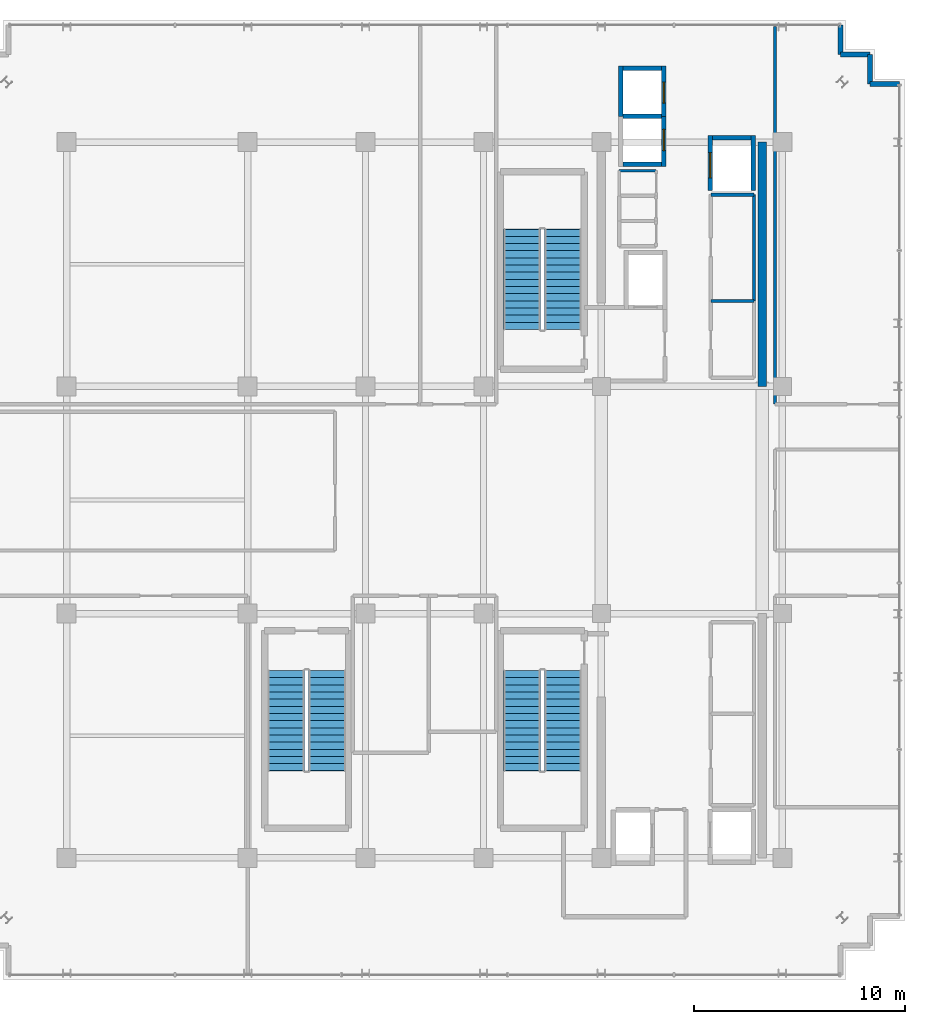
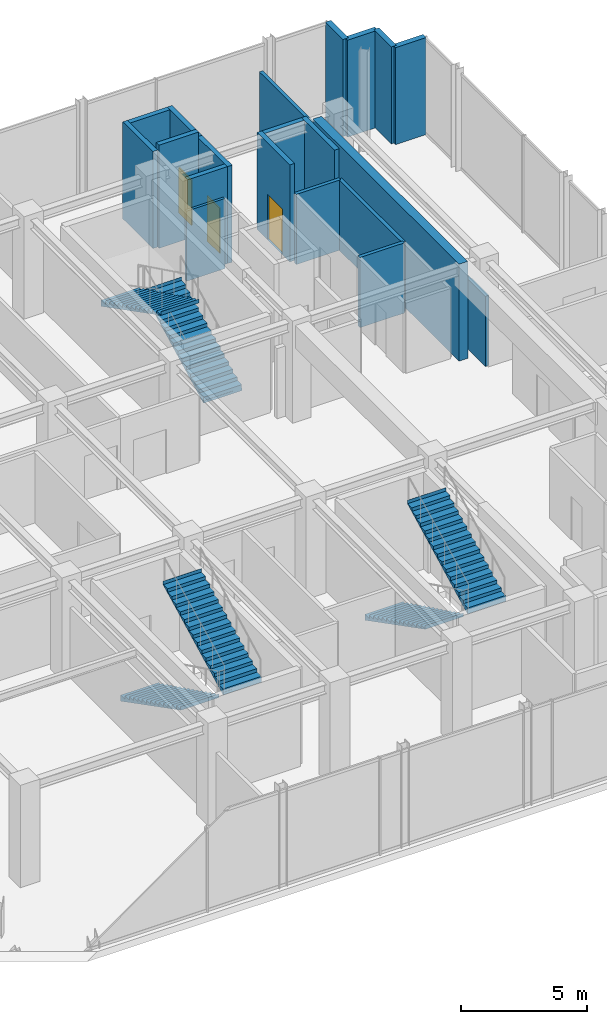
# One storey, part 25 of 28: 19 walls, 6 stair flights, 3 doors, 3 openings, 3 elements without a shape of their own.
"""IFC4 building model written with IfcOpenShell, lengths in metres."""

from ifc_helpers import new_model, si_unit, direction, frame, frame_2d, origin, place, context, subcontext, project, spatial, polyline, rectangle, outline, extrude, source, transform, mapped, material, layer, layer_set, type_object, element, fill, aggregate, save


model = new_model("IFC4")

# Units and contexts
model_context = context("Model", 3, precision=1e-05, world=origin(), true_north=direction((0.0, 1.0)))
body_context = subcontext(model_context, "Body", "Model", "MODEL_VIEW")
ifc_project = project(units=[si_unit("LENGTHUNIT", "METRE"), si_unit("AREAUNIT", "SQUARE_METRE"), si_unit("VOLUMEUNIT", "CUBIC_METRE"), si_unit("PLANEANGLEUNIT", "RADIAN"), si_unit("MASSUNIT", "GRAM", prefix="KILO")], contexts=[model_context])

# Site, building, storey
site_placement = place(None, origin())
site = spatial("IfcSite", under=ifc_project, at=site_placement, CompositionType="ELEMENT")
building_placement = place(site_placement, origin())
building = spatial("IfcBuilding", under=site, at=building_placement, Name="Nahalor Promenade Grand Hotel", CompositionType="ELEMENT")
storey_placement = place(building_placement, frame((0.0, 0.0, 352.050048828125)))
storey = spatial("IfcBuildingStorey", under=building, at=storey_placement, Name="L90", CompositionType="ELEMENT", Elevation=352.050048828125)

# Wall
ifc_material_1 = material(Name="Concrete B-50 (C40/50)", Category="concrete")
ifc_layer_1 = layer(ifc_material_1, 0.39990234375)
ifc_layer_set_1 = layer_set([ifc_layer_1], Name="Concrete B-50 (C40/50)")
wall_type_1 = type_object("IfcWallType", Name="Wall-CoreShear-400", PredefinedType="SHEAR", material=ifc_layer_set_1)
shared_shape_1 = source(origin(), body_context, "Body", "SweptSolid", [
    extrude(rectangle(XDim=11.60009765625, YDim=0.39990234375, at=frame_2d((5.800048828125, 0.0))), origin(), (0.0, 0.0, 1.0), 4.699951171875),
])
wall_1_placement = place(storey_placement, frame((16.050048828125, 5.39990234375, 0.0), z_axis=(0.0, 0.0, 1.0), x_axis=(0.0, 1.0, 0.0)))
element("IfcWall", 1, at=wall_1_placement, inside=storey, type_object=wall_type_1, Name="CWALL-L90-NE", PredefinedType="SHEAR", context=body_context, shape_type="MappedRepresentation", body=[
    mapped(shared_shape_1, transform((0.0, 0.0, 0.0), scale=1.0)),
])

# Wall, opening, door
ifc_layer_2 = layer(ifc_material_1, 0.219970703125)
ifc_layer_set_2 = layer_set([ifc_layer_2], Name="Concrete B-50 (C40/50)")
wall_type_2 = type_object("IfcWallType", Name="Wall-LiftShaft-220", PredefinedType="SHEAR", material=ifc_layer_set_2)
shared_shape_2 = source(origin(), body_context, "Body", "SweptSolid", [
    extrude(rectangle(XDim=2.385009765625, YDim=0.219970703125, at=frame_2d((1.1923828125, 0.0))), origin(), (0.0, 0.0, 1.0), 4.699951171875),
])
wall_2_placement = place(storey_placement, frame((11.3701171875, 15.840087890625, 0.0), z_axis=(0.0, 0.0, 1.0), x_axis=(0.0, 1.0, 0.0)))
wall_2 = element("IfcWall", 2, at=wall_2_placement, inside=storey, type_object=wall_type_2, Name="L90 Lift OB1 Hoistway Wall E", PredefinedType="SHEAR", context=body_context, shape_type="MappedRepresentation", body=[
    mapped(shared_shape_2, transform((0.0, 0.0, 0.0), scale=1.0)),
])
opening_1_placement = place(wall_2_placement, frame((0.760009765625, 0.0, 0.0)))
opening_1 = element("IfcOpeningElement", 3, at=opening_1_placement, cuts=wall_2, Name="Opening LD-01", PredefinedType="OPENING", context=body_context, shape_type="SweptSolid", body=[
    extrude(rectangle(XDim=1.0, YDim=2.199951171875, at=frame_2d((0.5, 1.10009765625))), frame((0.0, 0.119873046875, 0.0), z_axis=(0.0, -1.0, 0.0), x_axis=(1.0, 0.0, 0.0)), (0.0, 0.0, 1.0), 0.239990234375),
])
ifc_material_2 = material(Name="Steel S355JR", Category="steel")
door_type_1 = type_object("IfcDoorType", Name="Door-LiftLanding-1000", OperationType="DOUBLE_DOOR_SLIDING", PredefinedType="DOOR", material=ifc_material_2)
shared_shape_3 = source(origin(), body_context, "Body", "SweptSolid", [
    extrude(rectangle(XDim=1.0, YDim=2.199951171875, at=frame_2d((0.5, 1.10009765625))), frame((0.0, 0.02490234375, 0.0), z_axis=(0.0, -1.0, 0.0), x_axis=(1.0, 0.0, 0.0)), (0.0, 0.0, 1.0), 0.050048828125),
])
door_1_placement = place(opening_1_placement, frame((1.0, 0.0, 0.0), z_axis=(0.0, 0.0, 1.0), x_axis=(-1.0, 0.0, 0.0)))
door_1 = element("IfcDoor", 4, at=door_1_placement, inside=storey, type_object=door_type_1, Name="DR-LIFT-OB1-L90", OperationType="DOUBLE_DOOR_SLIDING", OverallHeight=2.199951171875, OverallWidth=1.0, PredefinedType="DOOR", context=body_context, shape_type="MappedRepresentation", body=[
    mapped(shared_shape_3, transform((0.0, 0.0, 0.0), scale=1.0)),
])
fill(opening_1, door_1)

# Wall
wall_3_placement = place(storey_placement, frame((9.330078125, 18.22509765625, 0.0), z_axis=(0.0, 0.0, 1.0), x_axis=(0.0, 1.0, 0.0)))
element("IfcWall", 5, at=wall_3_placement, inside=storey, type_object=wall_type_2, Name="L90 Lift OB2 Hoistway Wall W", PredefinedType="SHEAR", context=body_context, shape_type="MappedRepresentation", body=[
    mapped(shared_shape_2, transform((0.0, 0.0, 0.0), scale=1.0)),
])

# Wall, opening, door
wall_4_placement = place(storey_placement, frame((11.3701171875, 18.22509765625, 0.0), z_axis=(0.0, 0.0, 1.0), x_axis=(0.0, 1.0, 0.0)))
wall_4 = element("IfcWall", 6, at=wall_4_placement, inside=storey, type_object=wall_type_2, Name="L90 Lift OB2 Hoistway Wall E", PredefinedType="SHEAR", context=body_context, shape_type="MappedRepresentation", body=[
    mapped(shared_shape_2, transform((0.0, 0.0, 0.0), scale=1.0)),
])
opening_2_placement = place(wall_4_placement, frame((0.625, 0.0, 0.0)))
opening_2 = element("IfcOpeningElement", 7, at=opening_2_placement, cuts=wall_4, Name="Opening LD-01", PredefinedType="OPENING", context=body_context, shape_type="SweptSolid", body=[
    extrude(rectangle(XDim=1.0, YDim=2.199951171875, at=frame_2d((0.5, 1.10009765625))), frame((0.0, 0.119873046875, 0.0), z_axis=(0.0, -1.0, 0.0), x_axis=(1.0, 0.0, 0.0)), (0.0, 0.0, 1.0), 0.239990234375),
])
door_2_placement = place(opening_2_placement, frame((1.0, 0.0, 0.0), z_axis=(0.0, 0.0, 1.0), x_axis=(-1.0, 0.0, 0.0)))
door_2 = element("IfcDoor", 8, at=door_2_placement, inside=storey, type_object=door_type_1, Name="DR-LIFT-OB2-L90", OperationType="DOUBLE_DOOR_SLIDING", OverallHeight=2.199951171875, OverallWidth=1.0, PredefinedType="DOOR", context=body_context, shape_type="MappedRepresentation", body=[
    mapped(shared_shape_3, transform((0.0, 0.0, 0.0), scale=1.0)),
])
fill(opening_2, door_2)

# Walls
shared_shape_4 = source(origin(), body_context, "Body", "SweptSolid", [
    extrude(rectangle(XDim=1.820068359375, YDim=0.219970703125, at=frame_2d((0.91015625, 0.0))), origin(), (0.0, 0.0, 1.0), 4.699951171875),
])
for number, where, z_axis, x_axis, name in (
    (9, (9.43994140625, 15.949951171875, 0.0), (0.0, 0.0, 1.0), (1.0, 0.0, 0.0), "L90 Lift OB1 Hoistway Wall S"),
    (10, (9.43994140625, 20.5, 0.0), (0.0, 0.0, 1.0), (1.0, 0.0, 0.0), "L90 Lift OB2 Hoistway Wall N"),
    (11, (13.68994140625, 17.199951171875, 0.0), (0.0, 0.0, 1.0), (1.0, 0.0, 0.0), "L90 Lift SV1 Hoistway Wall N"),
):
    element("IfcWall", number, at=place(storey_placement, frame(where, z_axis=z_axis, x_axis=x_axis)), inside=storey, type_object=wall_type_2, Name=name, PredefinedType="SHEAR", context=body_context, shape_type="MappedRepresentation", body=[
        mapped(shared_shape_4, transform((0.0, 0.0, 0.0), scale=1.0)),
    ])
shared_shape_5 = source(origin(), body_context, "Body", "SweptSolid", [
    extrude(rectangle(XDim=1.820068359375, YDim=0.219970703125, at=frame_2d((0.91015625, 0.0))), origin(), (0.0, 0.0, 1.0), 5.0),
])
wall_5_placement = place(storey_placement, frame((9.43994140625, 18.22509765625, 0.0), z_axis=(0.0, 0.0, 1.0), x_axis=(1.0, 0.0, 0.0)))
element("IfcWall", 12, at=wall_5_placement, inside=storey, type_object=wall_type_2, Name="L90 Lift OB1 Hoistway Wall N", PredefinedType="SHEAR", context=body_context, shape_type="MappedRepresentation", body=[
    mapped(shared_shape_5, transform((0.0, 0.0, 0.0), scale=1.0)),
])

# Wall, opening, door
shared_shape_6 = source(origin(), body_context, "Body", "SweptSolid", [
    extrude(rectangle(XDim=2.610107421875, YDim=0.219970703125, at=frame_2d((1.30517578125, 0.0))), origin(), (0.0, 0.0, 1.0), 4.699951171875),
])
wall_6_placement = place(storey_placement, frame((13.580078125, 14.699951171875, 0.0), z_axis=(0.0, 0.0, 1.0), x_axis=(0.0, 1.0, 0.0)))
wall_6 = element("IfcWall", 13, at=wall_6_placement, inside=storey, type_object=wall_type_2, Name="L90 Lift SV1 Hoistway Wall W", PredefinedType="SHEAR", context=body_context, shape_type="MappedRepresentation", body=[
    mapped(shared_shape_6, transform((0.0, 0.0, 0.0), scale=1.0)),
])
opening_3_placement = place(wall_6_placement, frame((0.60009765625, 0.0, 0.0)))
opening_3 = element("IfcOpeningElement", 14, at=opening_3_placement, cuts=wall_6, Name="Opening LD-03", PredefinedType="OPENING", context=body_context, shape_type="SweptSolid", body=[
    extrude(rectangle(XDim=1.199951171875, YDim=2.199951171875, at=frame_2d((0.60009765625, 1.10009765625))), frame((0.0, 0.119873046875, 0.0), z_axis=(0.0, -1.0, 0.0), x_axis=(1.0, 0.0, 0.0)), (0.0, 0.0, 1.0), 0.239990234375),
])
door_type_2 = type_object("IfcDoorType", Name="Door-LiftService-1200", OperationType="DOUBLE_DOOR_SLIDING", PredefinedType="DOOR", material=ifc_material_2)
shared_shape_7 = source(origin(), body_context, "Body", "SweptSolid", [
    extrude(rectangle(XDim=1.199951171875, YDim=2.199951171875, at=frame_2d((0.60009765625, 1.10009765625))), frame((0.0, 0.02490234375, 0.0), z_axis=(0.0, -1.0, 0.0), x_axis=(1.0, 0.0, 0.0)), (0.0, 0.0, 1.0), 0.050048828125),
])
door_3_placement = place(opening_3_placement, origin())
door_3 = element("IfcDoor", 15, at=door_3_placement, inside=storey, type_object=door_type_2, Name="DR-LIFT-SV1-L90", OperationType="DOUBLE_DOOR_SLIDING", OverallHeight=2.199951171875, OverallWidth=1.199951171875, PredefinedType="DOOR", context=body_context, shape_type="MappedRepresentation", body=[
    mapped(shared_shape_7, transform((0.0, 0.0, 0.0), scale=1.0)),
])
fill(opening_3, door_3)

# Walls
wall_7_placement = place(storey_placement, frame((15.6201171875, 14.699951171875, 0.0), z_axis=(0.0, 0.0, 1.0), x_axis=(0.0, 1.0, 0.0)))
element("IfcWall", 16, at=wall_7_placement, inside=storey, type_object=wall_type_2, Name="L90 Lift SV1 Hoistway Wall E", PredefinedType="SHEAR", context=body_context, shape_type="MappedRepresentation", body=[
    mapped(shared_shape_6, transform((0.0, 0.0, 0.0), scale=1.0)),
])
ifc_material_3 = material(Name="Concrete B-40 (C32/40)", Category="concrete")
ifc_layer_3 = layer(ifc_material_3, 0.25)
ifc_layer_set_3 = layer_set([ifc_layer_3], Name="Concrete B-40 (C32/40)")
wall_type_3 = type_object("IfcWallType", Name="Wall-BronzePier-250", PredefinedType="STANDARD", material=ifc_layer_set_3)
shared_shape_8 = source(origin(), body_context, "Body", "SweptSolid", [
    extrude(rectangle(XDim=1.400146484375, YDim=0.25, at=frame_2d((0.7001953125, 0.0))), origin(), (0.0, 0.0, 1.0), 4.699951171875),
])
for number, where, z_axis, x_axis, name in (
    (17, (21.159912109375, 19.760009765625, 0.0), (0.0, 0.0, 1.0), (1.0, 0.0, 0.0), "W-L90-SR-05"),
    (18, (19.760009765625, 21.159912109375, 0.0), (0.0, 0.0, 1.0), (0.0, 1.0, 0.0), "W-L90-SR-08"),
):
    element("IfcWall", number, at=place(storey_placement, frame(where, z_axis=z_axis, x_axis=x_axis)), inside=storey, type_object=wall_type_3, Name=name, PredefinedType="STANDARD", context=body_context, shape_type="MappedRepresentation", body=[
        mapped(shared_shape_8, transform((0.0, 0.0, 0.0), scale=1.0)),
    ])
shared_shape_9 = source(origin(), body_context, "Body", "SweptSolid", [
    extrude(rectangle(XDim=1.39990234375, YDim=0.25, at=frame_2d((0.699951171875, 0.0))), origin(), (0.0, 0.0, 1.0), 4.699951171875),
])
for number, where, z_axis, x_axis, name in (
    (19, (21.159912109375, 19.760009765625, 0.0), (0.0, 0.0, 1.0), (0.0, 1.0, 0.0), "W-L90-SR-06"),
    (20, (19.760009765625, 21.159912109375, 0.0), (0.0, 0.0, 1.0), (1.0, 0.0, 0.0), "W-L90-SR-07"),
):
    element("IfcWall", number, at=place(storey_placement, frame(where, z_axis=z_axis, x_axis=x_axis)), inside=storey, type_object=wall_type_3, Name=name, PredefinedType="STANDARD", context=body_context, shape_type="MappedRepresentation", body=[
        mapped(shared_shape_9, transform((0.0, 0.0, 0.0), scale=1.0)),
    ])
ifc_material_4 = material(Name="Acoustic Mineral Gypsum", Category="gypsum")
ifc_layer_4 = layer(ifc_material_4, 0.1201171875)
ifc_layer_set_4 = layer_set([ifc_layer_4], Name="Acoustic Mineral Gypsum")
wall_type_4 = type_object("IfcWallType", Name="Wall-PartBath-120", PredefinedType="PARTITIONING", material=ifc_layer_set_4)
shared_shape_10 = source(origin(), body_context, "Body", "SweptSolid", [
    extrude(rectangle(XDim=1.75, YDim=0.1201171875, at=frame_2d((0.875, 0.0))), origin(), (0.0, 0.0, 1.0), 3.39990234375),
])
wall_8_placement = place(storey_placement, frame((9.25, 15.64990234375, 0.0), z_axis=(0.0, 0.0, 1.0), x_axis=(1.0, 0.0, 0.0)))
element("IfcWall", 21, at=wall_8_placement, inside=storey, type_object=wall_type_4, Name="W-L90-CK3C-N", PredefinedType="PARTITIONING", context=body_context, shape_type="MappedRepresentation", body=[
    mapped(shared_shape_10, transform((0.0, 0.0, 0.0), scale=1.0)),
])
ifc_layer_5 = layer(ifc_material_4, 0.159912109375)
ifc_layer_set_5 = layer_set([ifc_layer_5], Name="Acoustic Mineral Gypsum")
wall_type_5 = type_object("IfcWallType", Name="Wall-PartCorridor-160", PredefinedType="PARTITIONING", material=ifc_layer_set_5)
shared_shape_11 = source(origin(), body_context, "Body", "SweptSolid", [
    extrude(rectangle(XDim=2.0498046875, YDim=0.159912109375, at=frame_2d((1.02490234375, 0.0))), origin(), (0.0, 0.0, 1.0), 3.39990234375),
])
for number, where, z_axis, x_axis, name in (
    (22, (13.60009765625, 9.449951171875, 0.0), (0.0, 0.0, 1.0), (1.0, 0.0, 0.0), "W-L90-FRB1A-N"),
    (23, (13.60009765625, 14.5, 0.0), (0.0, 0.0, 1.0), (1.0, 0.0, 0.0), "W-L90-FRB1B-N"),
):
    element("IfcWall", number, at=place(storey_placement, frame(where, z_axis=z_axis, x_axis=x_axis)), inside=storey, type_object=wall_type_5, Name=name, PredefinedType="PARTITIONING", context=body_context, shape_type="MappedRepresentation", body=[
        mapped(shared_shape_11, transform((0.0, 0.0, 0.0), scale=1.0)),
    ])
shared_shape_12 = source(origin(), body_context, "Body", "SweptSolid", [
    extrude(rectangle(XDim=5.050048828125, YDim=0.159912109375, at=frame_2d((2.52490234375, 0.0))), origin(), (0.0, 0.0, 1.0), 3.39990234375),
])
wall_9_placement = place(storey_placement, frame((15.64990234375, 9.449951171875, 0.0), z_axis=(0.0, 0.0, 1.0), x_axis=(0.0, 1.0, 0.0)))
element("IfcWall", 24, at=wall_9_placement, inside=storey, type_object=wall_type_5, Name="W-L90-FRB1B-E", PredefinedType="PARTITIONING", context=body_context, shape_type="MappedRepresentation", body=[
    mapped(shared_shape_12, transform((0.0, 0.0, 0.0), scale=1.0)),
])
shared_shape_13 = source(origin(), body_context, "Body", "SweptSolid", [
    extrude(rectangle(XDim=17.949951171875, YDim=0.159912109375, at=frame_2d((8.97509765625, 0.0))), origin(), (0.0, 0.0, 1.0), 3.39990234375),
])
wall_10_placement = place(storey_placement, frame((16.64990234375, 4.550048828125, 0.0), z_axis=(0.0, 0.0, 1.0), x_axis=(0.0, 1.0, 0.0)))
element("IfcWall", 25, at=wall_10_placement, inside=storey, type_object=wall_type_5, Name="W-L90-SK06-W", PredefinedType="PARTITIONING", context=body_context, shape_type="MappedRepresentation", body=[
    mapped(shared_shape_13, transform((0.0, 0.0, 0.0), scale=1.0)),
])

# Stair, stair flights
stair_type_1 = type_object("IfcStairType", Name="Stair-ST1", PredefinedType="HALF_TURN_STAIR", material=ifc_material_1)
stair_1_placement = place(storey_placement, origin())
stair_1 = element("IfcStair", 26, at=stair_1_placement, inside=storey, type_object=stair_type_1, Name="L90 ST1", PredefinedType="HALF_TURN_STAIR")
ifc_layer_6 = layer(ifc_material_1, 0.179931640625)
ifc_layer_set_6 = layer_set([ifc_layer_6], Name="Concrete B-50 (C40/50)")
stair_flight_type_1 = type_object("IfcStairFlightType", Name="Flight-ST1", PredefinedType="STRAIGHT", material=ifc_layer_set_6)
shared_shape_14 = source(origin(), body_context, "Body", "SweptSolid", [
    extrude(outline(polyline([(-0.00390625, -0.1201171875), (-0.00390625, 0.0), (0.0, 0.0), (0.0, 0.166748046875), (0.340087890625, 0.166748046875), (0.340087890625, 0.333251953125), (0.679931640625, 0.333251953125), (0.679931640625, 0.5), (1.02001953125, 0.5), (1.02001953125, 0.666748046875), (1.360107421875, 0.666748046875), (1.360107421875, 0.833251953125), (1.699951171875, 0.833251953125), (1.699951171875, 1.0), (2.0400390625, 1.0), (2.0400390625, 1.166748046875), (2.3798828125, 1.166748046875), (2.3798828125, 1.333251953125), (2.719970703125, 1.333251953125), (2.719970703125, 1.5), (3.06005859375, 1.5), (3.06005859375, 1.666748046875), (3.39990234375, 1.666748046875), (3.39990234375, 1.833251953125), (3.739990234375, 1.833251953125), (3.739990234375, 2.0), (4.080078125, 2.0), (4.080078125, 2.166748046875), (4.419921875, 2.166748046875), (4.419921875, 2.333251953125), (4.760009765625, 2.333251953125), (4.760009765625, 2.5), (4.763916015625, 2.5), (4.763916015625, 2.320068359375), (0.02001953125, -0.1201171875), (-0.00390625, -0.1201171875)])), frame((0.0, 0.875, 0.0), z_axis=(0.0, -1.0, 0.0), x_axis=(1.0, 0.0, 0.0)), (0.0, 0.0, 1.0), 1.75),
])
stair_flight_1_placement = place(storey_placement, frame((6.574951171875, 8.10009765625, 0.0), z_axis=(0.0, 0.0, 1.0), x_axis=(0.0, 1.0, 0.0)))
stair_flight_1 = element("IfcStairFlight", 27, at=stair_flight_1_placement, type_object=stair_flight_type_1, Name="ST1 flight 1", NumberOfRisers=15, NumberOfTreads=14, PredefinedType="STRAIGHT", RiserHeight=0.166666667, TreadLength=0.34, context=body_context, shape_type="MappedRepresentation", body=[
    mapped(shared_shape_14, transform((0.0, 0.0, 0.0), scale=1.0)),
])
stair_flight_2_placement = place(storey_placement, frame((4.625, 12.860107421875, 2.5), z_axis=(0.0, 0.0, 1.0), x_axis=(0.0, -1.0, 0.0)))
stair_flight_2 = element("IfcStairFlight", 28, at=stair_flight_2_placement, type_object=stair_flight_type_1, Name="ST1 flight 2", NumberOfRisers=15, NumberOfTreads=14, PredefinedType="STRAIGHT", RiserHeight=0.166666667, TreadLength=0.34, context=body_context, shape_type="MappedRepresentation", body=[
    mapped(shared_shape_14, transform((0.0, 0.0, 0.0), scale=1.0)),
])
aggregate(stair_1, [stair_flight_1, stair_flight_2])

stair_type_2 = type_object("IfcStairType", Name="Stair-ST2", PredefinedType="HALF_TURN_STAIR", material=ifc_material_1)
stair_2_placement = place(storey_placement, origin())
stair_2 = element("IfcStair", 29, at=stair_2_placement, inside=storey, type_object=stair_type_2, Name="L90 ST2", PredefinedType="HALF_TURN_STAIR")
ifc_layer_7 = layer(ifc_material_1, 0.18994140625)
ifc_layer_set_7 = layer_set([ifc_layer_7], Name="Concrete B-50 (C40/50)")
stair_flight_type_2 = type_object("IfcStairFlightType", Name="Flight-ST2", PredefinedType="STRAIGHT", material=ifc_layer_set_7)
shared_shape_15 = source(origin(), body_context, "Body", "SweptSolid", [
    extrude(outline(polyline([(-0.00390625, -0.1201171875), (-0.00390625, 0.0), (0.0, 0.0), (0.0, 0.166748046875), (0.340087890625, 0.166748046875), (0.340087890625, 0.333251953125), (0.679931640625, 0.333251953125), (0.679931640625, 0.5), (1.02001953125, 0.5), (1.02001953125, 0.666748046875), (1.360107421875, 0.666748046875), (1.360107421875, 0.833251953125), (1.699951171875, 0.833251953125), (1.699951171875, 1.0), (2.0400390625, 1.0), (2.0400390625, 1.166748046875), (2.3798828125, 1.166748046875), (2.3798828125, 1.333251953125), (2.719970703125, 1.333251953125), (2.719970703125, 1.5), (3.06005859375, 1.5), (3.06005859375, 1.666748046875), (3.39990234375, 1.666748046875), (3.39990234375, 1.833251953125), (3.739990234375, 1.833251953125), (3.739990234375, 2.0), (4.080078125, 2.0), (4.080078125, 2.166748046875), (4.419921875, 2.166748046875), (4.419921875, 2.333251953125), (4.760009765625, 2.333251953125), (4.760009765625, 2.5), (4.763916015625, 2.5), (4.763916015625, 2.320068359375), (0.02001953125, -0.1201171875), (-0.00390625, -0.1201171875)])), frame((0.0, 0.875, 0.0), z_axis=(0.0, -1.0, 0.0), x_axis=(1.0, 0.0, 0.0)), (0.0, 0.0, 1.0), 1.75),
])
stair_flight_3_placement = place(storey_placement, frame((4.625, -8.10009765625, 0.0), z_axis=(0.0, 0.0, 1.0), x_axis=(0.0, -1.0, 0.0)))
stair_flight_3 = element("IfcStairFlight", 30, at=stair_flight_3_placement, type_object=stair_flight_type_2, Name="ST2 flight 1", NumberOfRisers=15, NumberOfTreads=14, PredefinedType="STRAIGHT", RiserHeight=0.166666667, TreadLength=0.34, context=body_context, shape_type="MappedRepresentation", body=[
    mapped(shared_shape_15, transform((0.0, 0.0, 0.0), scale=1.0)),
])
stair_flight_4_placement = place(storey_placement, frame((6.574951171875, -12.860107421875, 2.5), z_axis=(0.0, 0.0, 1.0), x_axis=(0.0, 1.0, 0.0)))
stair_flight_4 = element("IfcStairFlight", 31, at=stair_flight_4_placement, type_object=stair_flight_type_2, Name="ST2 flight 2", NumberOfRisers=15, NumberOfTreads=14, PredefinedType="STRAIGHT", RiserHeight=0.166666667, TreadLength=0.34, context=body_context, shape_type="MappedRepresentation", body=[
    mapped(shared_shape_15, transform((0.0, 0.0, 0.0), scale=1.0)),
])
aggregate(stair_2, [stair_flight_3, stair_flight_4])

stair_type_3 = type_object("IfcStairType", Name="Stair-ST3", PredefinedType="HALF_TURN_STAIR", material=ifc_material_1)
stair_3_placement = place(storey_placement, origin())
stair_3 = element("IfcStair", 32, at=stair_3_placement, inside=storey, type_object=stair_type_3, Name="L90 ST3", PredefinedType="HALF_TURN_STAIR")
ifc_layer_8 = layer(ifc_material_1, 0.199951171875)
ifc_layer_set_8 = layer_set([ifc_layer_8], Name="Concrete B-50 (C40/50)")
stair_flight_type_3 = type_object("IfcStairFlightType", Name="Flight-ST3", PredefinedType="STRAIGHT", material=ifc_layer_set_8)
shared_shape_16 = source(origin(), body_context, "Body", "SweptSolid", [
    extrude(outline(polyline([(-0.00390625, -0.1201171875), (-0.00390625, 0.0), (0.0, 0.0), (0.0, 0.166748046875), (0.340087890625, 0.166748046875), (0.340087890625, 0.333251953125), (0.679931640625, 0.333251953125), (0.679931640625, 0.5), (1.02001953125, 0.5), (1.02001953125, 0.666748046875), (1.360107421875, 0.666748046875), (1.360107421875, 0.833251953125), (1.699951171875, 0.833251953125), (1.699951171875, 1.0), (2.0400390625, 1.0), (2.0400390625, 1.166748046875), (2.3798828125, 1.166748046875), (2.3798828125, 1.333251953125), (2.719970703125, 1.333251953125), (2.719970703125, 1.5), (3.06005859375, 1.5), (3.06005859375, 1.666748046875), (3.39990234375, 1.666748046875), (3.39990234375, 1.833251953125), (3.739990234375, 1.833251953125), (3.739990234375, 2.0), (4.080078125, 2.0), (4.080078125, 2.166748046875), (4.419921875, 2.166748046875), (4.419921875, 2.333251953125), (4.760009765625, 2.333251953125), (4.760009765625, 2.5), (4.763916015625, 2.5), (4.763916015625, 2.320068359375), (0.02001953125, -0.1201171875), (-0.00390625, -0.1201171875)])), frame((0.0, 0.875, 0.0), z_axis=(0.0, -1.0, 0.0), x_axis=(1.0, 0.0, 0.0)), (0.0, 0.0, 1.0), 1.75),
])
stair_flight_5_placement = place(storey_placement, frame((-6.574951171875, -8.10009765625, 0.0), z_axis=(0.0, 0.0, 1.0), x_axis=(0.0, -1.0, 0.0)))
stair_flight_5 = element("IfcStairFlight", 33, at=stair_flight_5_placement, type_object=stair_flight_type_3, Name="ST3 flight 1", NumberOfRisers=15, NumberOfTreads=14, PredefinedType="STRAIGHT", RiserHeight=0.166666667, TreadLength=0.34, context=body_context, shape_type="MappedRepresentation", body=[
    mapped(shared_shape_16, transform((0.0, 0.0, 0.0), scale=1.0)),
])
stair_flight_6_placement = place(storey_placement, frame((-4.625, -12.860107421875, 2.5), z_axis=(0.0, 0.0, 1.0), x_axis=(0.0, 1.0, 0.0)))
stair_flight_6 = element("IfcStairFlight", 34, at=stair_flight_6_placement, type_object=stair_flight_type_3, Name="ST3 flight 2", NumberOfRisers=15, NumberOfTreads=14, PredefinedType="STRAIGHT", RiserHeight=0.166666667, TreadLength=0.34, context=body_context, shape_type="MappedRepresentation", body=[
    mapped(shared_shape_16, transform((0.0, 0.0, 0.0), scale=1.0)),
])
aggregate(stair_3, [stair_flight_5, stair_flight_6])

save(model, "model.ifc")
